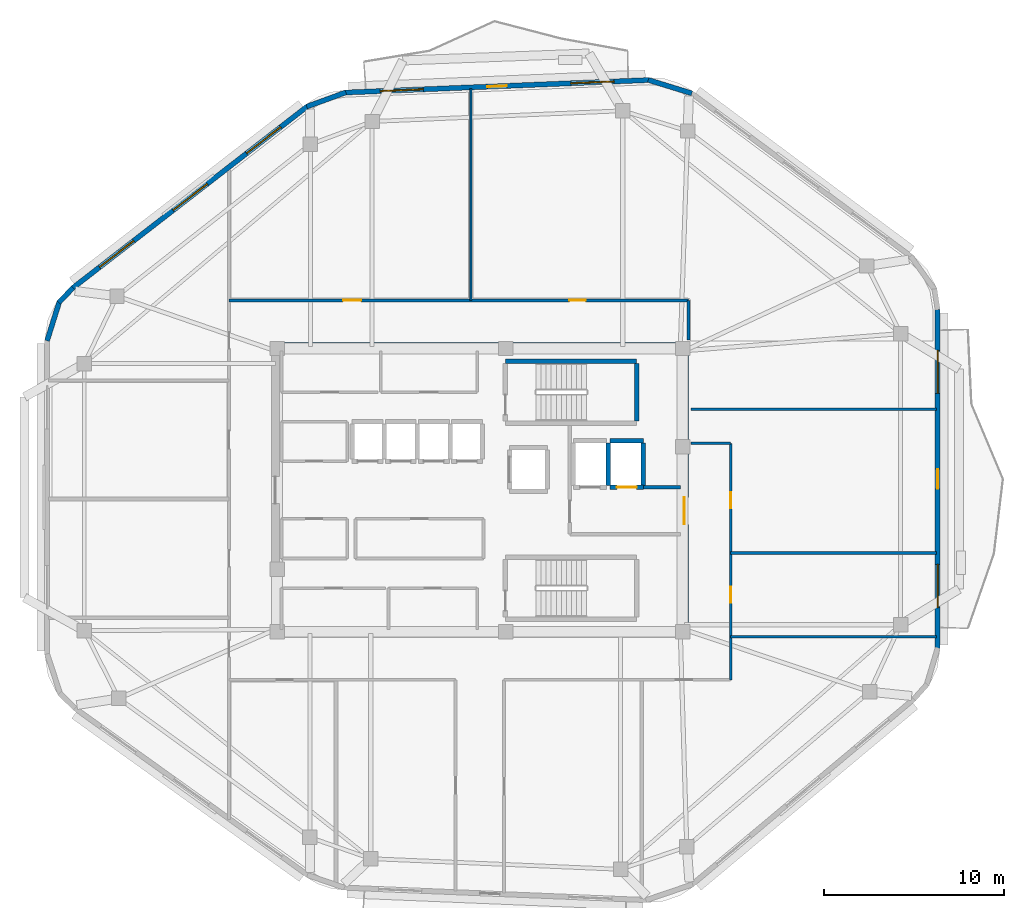
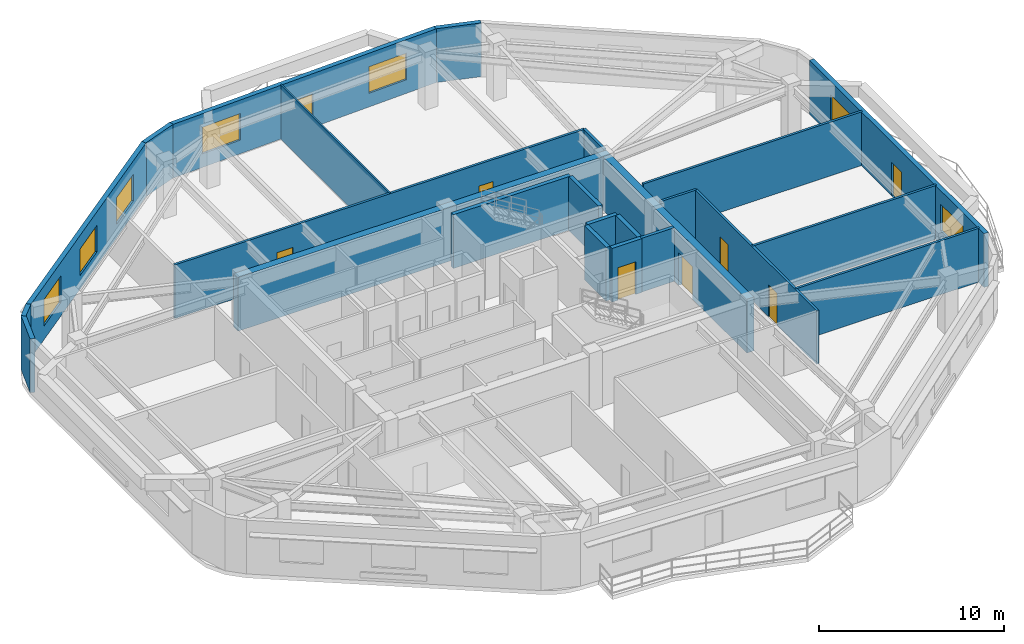
# One storey, part 5 of 8: 24 walls, 8 doors, 7 windows, 15 openings.
"""IFC4 building model written with IfcOpenShell, lengths in metres."""

from ifc_helpers import new_model, si_unit, direction, frame, frame_2d, origin, place, context, subcontext, project, spatial, rectangle, extrude, material, layer, layer_set, type_object, element, fill, save


model = new_model("IFC4")

# Units and contexts
model_context = context("Model", 3, precision=1e-05, world=origin(), true_north=direction((0.0, 1.0)))
body_context = subcontext(model_context, "Body", "Model", "MODEL_VIEW")
ifc_project = project(units=[si_unit("LENGTHUNIT", "METRE"), si_unit("AREAUNIT", "SQUARE_METRE"), si_unit("VOLUMEUNIT", "CUBIC_METRE"), si_unit("PLANEANGLEUNIT", "RADIAN"), si_unit("MASSUNIT", "GRAM", prefix="KILO")], contexts=[model_context])

# Site, building, storey
site_placement = place(None, origin())
site = spatial("IfcSite", under=ifc_project, at=site_placement, CompositionType="ELEMENT")
building_placement = place(site_placement, origin())
building = spatial("IfcBuilding", under=site, at=building_placement, Name="Zulverin Broadcast Headquarters", CompositionType="ELEMENT")
storey_placement = place(building_placement, frame((0.0, 0.0, 274.39990234375)))
storey = spatial("IfcBuildingStorey", under=building, at=storey_placement, Name="L70", CompositionType="ELEMENT", Elevation=274.39990234375)

# Wall
ifc_material_1 = material(Name="Concrete C50/60", Category="concrete")
ifc_layer_1 = layer(ifc_material_1, 0.449951171875, Name="Concrete C50/60", Category="concrete")
ifc_layer_set_1 = layer_set([ifc_layer_1], Name="Concrete C50/60")
wall_type_1 = type_object("IfcWallType", Name="WL-CORE-450", PredefinedType="SHEAR", material=ifc_layer_set_1)
wall_1_placement = place(storey_placement, frame((25.39990234375, 33.175048828125, 0.0), z_axis=(0.0, 0.0, 1.0), x_axis=(1.0, 0.0, 0.0)))
element("IfcWall", 1, at=wall_1_placement, inside=storey, type_object=wall_type_1, Name="L70 Core North Shear Wall", PredefinedType="SHEAR", context=body_context, shape_type="SweptSolid", body=[
    extrude(rectangle(XDim=23.2001953125, YDim=0.449951171875, at=frame_2d((11.60009765625, 0.0))), origin(), (0.0, 0.0, 1.0), 3.5400390625),
])

# Wall, opening, door
wall_2_placement = place(storey_placement, frame((48.375, 17.449951171875, 0.0), z_axis=(0.0, 0.0, 1.0), x_axis=(0.0, 1.0, 0.0)))
wall_2 = element("IfcWall", 2, at=wall_2_placement, inside=storey, type_object=wall_type_1, Name="L70 Core East Shear Wall", PredefinedType="SHEAR", context=body_context, shape_type="SweptSolid", body=[
    extrude(rectangle(XDim=15.5, YDim=0.449951171875, at=frame_2d((7.75, 0.0))), origin(), (0.0, 0.0, 1.0), 3.5400390625),
])
opening_1_placement = place(wall_2_placement, frame((5.85009765625, 0.0, 0.0)))
opening_1 = element("IfcOpeningElement", 3, at=opening_1_placement, cuts=wall_2, Name="Opening D-L70-CE1", PredefinedType="OPENING", context=body_context, shape_type="SweptSolid", body=[
    extrude(rectangle(XDim=1.5, YDim=2.14990234375, at=frame_2d((0.75, 1.074951171875))), frame((0.0, 0.23486328125, 0.0), z_axis=(0.0, -1.0, 0.0), x_axis=(1.0, 0.0, 0.0)), (0.0, 0.0, 1.0), 0.469970703125),
])
ifc_material_2 = material(Name="Fire-rated glazed steel frame", Category="steel")
door_type_1 = type_object("IfcDoorType", Name="DR-COR-1500", OperationType="DOUBLE_DOOR_SINGLE_SWING", PredefinedType="DOOR", material=ifc_material_2)
door_1_placement = place(opening_1_placement, origin())
door_1 = element("IfcDoor", 4, at=door_1_placement, inside=storey, type_object=door_type_1, Name="L70 Firefighting Lobby East Corridor Door", OperationType="DOUBLE_DOOR_SINGLE_SWING", OverallHeight=2.14990234375, OverallWidth=1.5, PredefinedType="DOOR", context=body_context, shape_type="SweptSolid", body=[
    extrude(rectangle(XDim=1.5, YDim=2.14990234375, at=frame_2d((0.75, 1.074951171875))), frame((0.0, 0.02490234375, 0.0), z_axis=(0.0, -1.0, 0.0), x_axis=(1.0, 0.0, 0.0)), (0.0, 0.0, 1.0), 0.050048828125),
])
fill(opening_1, door_1)

# Wall, openings, door, windows
ifc_material_3 = material(Name="Insulated pale-metal clad concrete spandrel C40/50", Category="concrete")
ifc_layer_2 = layer(ifc_material_3, 0.280029296875, Name="Insulated pale-metal clad concrete spandrel C40/50", Category="concrete")
ifc_layer_set_2 = layer_set([ifc_layer_2], Name="Insulated pale-metal clad concrete spandrel C40/50")
wall_type_2 = type_object("IfcWallType", Name="WL-EXT-280", PredefinedType="STANDARD", material=ifc_layer_set_2)
wall_3_placement = place(storey_placement, frame((62.4599609375, 16.3955078125, 0.0), z_axis=(0.0, 0.0, 1.0), x_axis=(0.0, 1.0, 0.0)))
wall_3 = element("IfcWall", 5, at=wall_3_placement, inside=storey, type_object=wall_type_2, Name="L70 Pale-Metal Clad Spandrel Wall 3", PredefinedType="STANDARD", context=body_context, shape_type="SweptSolid", body=[
    extrude(rectangle(XDim=18.8544921875, YDim=0.280029296875, at=frame_2d((9.42724609375, 0.0))), origin(), (0.0, 0.0, 1.0), 3.5400390625),
])
opening_2_placement = place(wall_3_placement, frame((8.877197265625, 0.0, 0.0)))
opening_2 = element("IfcOpeningElement", 6, at=opening_2_placement, cuts=wall_3, Name="Opening D-L70-TR3", PredefinedType="OPENING", context=body_context, shape_type="SweptSolid", body=[
    extrude(rectangle(XDim=1.10009765625, YDim=2.199951171875, at=frame_2d((0.550048828125, 1.10009765625))), frame((0.0, 0.14990234375, 0.0), z_axis=(0.0, -1.0, 0.0), x_axis=(1.0, 0.0, 0.0)), (0.0, 0.0, 1.0), 0.300048828125),
])
opening_3_placement = place(wall_3_placement, frame((2.27587890625, 0.0, 0.89990234375)))
opening_3 = element("IfcOpeningElement", 7, at=opening_3_placement, cuts=wall_3, Name="Opening W-L70-E31", PredefinedType="OPENING", context=body_context, shape_type="SweptSolid", body=[
    extrude(rectangle(XDim=2.39990234375, YDim=1.75, at=frame_2d((1.199951171875, 0.875))), frame((0.0, 0.14990234375, 0.0), z_axis=(0.0, -1.0, 0.0), x_axis=(1.0, 0.0, 0.0)), (0.0, 0.0, 1.0), 0.300048828125),
])
opening_4_placement = place(wall_3_placement, frame((14.1787109375, 0.0, 0.89990234375)))
opening_4 = element("IfcOpeningElement", 8, at=opening_4_placement, cuts=wall_3, Name="Opening W-L70-E32", PredefinedType="OPENING", context=body_context, shape_type="SweptSolid", body=[
    extrude(rectangle(XDim=2.39990234375, YDim=1.75, at=frame_2d((1.199951171875, 0.875))), frame((0.0, 0.14990234375, 0.0), z_axis=(0.0, -1.0, 0.0), x_axis=(1.0, 0.0, 0.0)), (0.0, 0.0, 1.0), 0.300048828125),
])
ifc_material_4 = material(Name="Thermally broken aluminium glazed", Category="aluminium")
door_type_2 = type_object("IfcDoorType", Name="DR-TERR-1100", OperationType="SINGLE_SWING_RIGHT", PredefinedType="DOOR", material=ifc_material_4)
door_2_placement = place(opening_2_placement, origin())
door_2 = element("IfcDoor", 9, at=door_2_placement, inside=storey, type_object=door_type_2, Name="L70 Planted Terrace Glazed Access Door 3", OperationType="SINGLE_SWING_RIGHT", OverallHeight=2.199951171875, OverallWidth=1.10009765625, PredefinedType="DOOR", context=body_context, shape_type="SweptSolid", body=[
    extrude(rectangle(XDim=1.10009765625, YDim=2.199951171875, at=frame_2d((0.550048828125, 1.10009765625))), frame((0.0, 0.02490234375, 0.0), z_axis=(0.0, -1.0, 0.0), x_axis=(1.0, 0.0, 0.0)), (0.0, 0.0, 1.0), 0.050048828125),
])
fill(opening_2, door_2)
ifc_material_5 = material(Name="Pale anodized aluminium frame with solar-control low-E double glazing", Category="aluminium")
window_type = type_object("IfcWindowType", Name="WIN-RIB-2400", PartitioningType="SINGLE_PANEL", PredefinedType="WINDOW", material=ifc_material_5)
window_1_placement = place(opening_3_placement, origin())
window_1 = element("IfcWindow", 10, at=window_1_placement, inside=storey, type_object=window_type, Name="L70 Ribbon Glazing Window 3 1", OverallHeight=1.75, OverallWidth=2.39990234375, PartitioningType="SINGLE_PANEL", PredefinedType="WINDOW", context=body_context, shape_type="SweptSolid", body=[
    extrude(rectangle(XDim=2.39990234375, YDim=1.75, at=frame_2d((1.199951171875, 0.875))), frame((0.0, 0.030029296875, 0.0), z_axis=(0.0, -1.0, 0.0), x_axis=(1.0, 0.0, 0.0)), (0.0, 0.0, 1.0), 0.06005859375),
])
fill(opening_3, window_1)
window_2_placement = place(opening_4_placement, origin())
window_2 = element("IfcWindow", 11, at=window_2_placement, inside=storey, type_object=window_type, Name="L70 Ribbon Glazing Window 3 2", OverallHeight=1.75, OverallWidth=2.39990234375, PartitioningType="SINGLE_PANEL", PredefinedType="WINDOW", context=body_context, shape_type="SweptSolid", body=[
    extrude(rectangle(XDim=2.39990234375, YDim=1.75, at=frame_2d((1.199951171875, 0.875))), frame((0.0, 0.030029296875, 0.0), z_axis=(0.0, -1.0, 0.0), x_axis=(1.0, 0.0, 0.0)), (0.0, 0.0, 1.0), 0.06005859375),
])
fill(opening_4, window_2)

wall_4_placement = place(storey_placement, frame((46.413818359375, 48.0048828125, 0.0), z_axis=(0.0, 0.0, 1.0), x_axis=(-0.999156194126, -0.041071885021, 0.0)))
wall_4 = element("IfcWall", 12, at=wall_4_placement, inside=storey, type_object=wall_type_2, Name="L70 Pale-Metal Clad Spandrel Wall 5", PredefinedType="STANDARD", context=body_context, shape_type="SweptSolid", body=[
    extrude(rectangle(XDim=16.923095703125, YDim=0.280029296875, at=frame_2d((8.46142578125, 0.0))), origin(), (0.0, 0.0, 1.0), 3.5400390625),
])
opening_5_placement = place(wall_4_placement, frame((7.91162109375, 0.0, 0.0)))
opening_5 = element("IfcOpeningElement", 13, at=opening_5_placement, cuts=wall_4, Name="Opening D-L70-TR5", PredefinedType="OPENING", context=body_context, shape_type="SweptSolid", body=[
    extrude(rectangle(XDim=1.10009765625, YDim=2.199951171875, at=frame_2d((0.550048828125, 1.10009765625))), frame((0.0, 0.14990234375, 0.0), z_axis=(0.0, -1.0, 0.0), x_axis=(1.0, 0.0, 0.0)), (0.0, 0.0, 1.0), 0.300048828125),
])
opening_6_placement = place(wall_4_placement, frame((1.953857421875, 0.0, 0.89990234375)))
opening_6 = element("IfcOpeningElement", 14, at=opening_6_placement, cuts=wall_4, Name="Opening W-L70-E51", PredefinedType="OPENING", context=body_context, shape_type="SweptSolid", body=[
    extrude(rectangle(XDim=2.39990234375, YDim=1.75, at=frame_2d((1.199951171875, 0.875))), frame((0.0, 0.14990234375, 0.0), z_axis=(0.0, -1.0, 0.0), x_axis=(1.0, 0.0, 0.0)), (0.0, 0.0, 1.0), 0.300048828125),
])
opening_7_placement = place(wall_4_placement, frame((12.569091796875, 0.0, 0.89990234375)))
opening_7 = element("IfcOpeningElement", 15, at=opening_7_placement, cuts=wall_4, Name="Opening W-L70-E52", PredefinedType="OPENING", context=body_context, shape_type="SweptSolid", body=[
    extrude(rectangle(XDim=2.39990234375, YDim=1.75, at=frame_2d((1.199951171875, 0.875))), frame((0.0, 0.14990234375, 0.0), z_axis=(0.0, -1.0, 0.0), x_axis=(1.0, 0.0, 0.0)), (0.0, 0.0, 1.0), 0.300048828125),
])
door_3_placement = place(opening_5_placement, origin())
door_3 = element("IfcDoor", 16, at=door_3_placement, inside=storey, type_object=door_type_2, Name="L70 Planted Terrace Glazed Access Door 5", OperationType="SINGLE_SWING_RIGHT", OverallHeight=2.199951171875, OverallWidth=1.10009765625, PredefinedType="DOOR", context=body_context, shape_type="SweptSolid", body=[
    extrude(rectangle(XDim=1.10009765625, YDim=2.199951171875, at=frame_2d((0.550048828125, 1.10009765625))), frame((0.0, 0.02490234375, 0.0), z_axis=(0.0, -1.0, 0.0), x_axis=(1.0, 0.0, 0.0)), (0.0, 0.0, 1.0), 0.050048828125),
])
fill(opening_5, door_3)
window_3_placement = place(opening_6_placement, origin())
window_3 = element("IfcWindow", 17, at=window_3_placement, inside=storey, type_object=window_type, Name="L70 Ribbon Glazing Window 5 1", OverallHeight=1.75, OverallWidth=2.39990234375, PartitioningType="SINGLE_PANEL", PredefinedType="WINDOW", context=body_context, shape_type="SweptSolid", body=[
    extrude(rectangle(XDim=2.39990234375, YDim=1.75, at=frame_2d((1.199951171875, 0.875))), frame((0.0, 0.030029296875, 0.0), z_axis=(0.0, -1.0, 0.0), x_axis=(1.0, 0.0, 0.0)), (0.0, 0.0, 1.0), 0.06005859375),
])
fill(opening_6, window_3)
window_4_placement = place(opening_7_placement, origin())
window_4 = element("IfcWindow", 18, at=window_4_placement, inside=storey, type_object=window_type, Name="L70 Ribbon Glazing Window 5 2", OverallHeight=1.75, OverallWidth=2.39990234375, PartitioningType="SINGLE_PANEL", PredefinedType="WINDOW", context=body_context, shape_type="SweptSolid", body=[
    extrude(rectangle(XDim=2.39990234375, YDim=1.75, at=frame_2d((1.199951171875, 0.875))), frame((0.0, 0.030029296875, 0.0), z_axis=(0.0, -1.0, 0.0), x_axis=(1.0, 0.0, 0.0)), (0.0, 0.0, 1.0), 0.06005859375),
])
fill(opening_7, window_4)

# Wall, openings, windows
wall_5_placement = place(storey_placement, frame((27.4150390625, 46.54736328125, 0.0), z_axis=(0.0, 0.0, 1.0), x_axis=(-0.790789745248, -0.612087884875, 0.0)))
wall_5 = element("IfcWall", 19, at=wall_5_placement, inside=storey, type_object=wall_type_2, Name="L70 Pale-Metal Clad Spandrel Wall 6", PredefinedType="STANDARD", context=body_context, shape_type="SweptSolid", body=[
    extrude(rectangle(XDim=16.509033203125, YDim=0.280029296875, at=frame_2d((8.25439453125, 0.0))), origin(), (0.0, 0.0, 1.0), 3.5400390625),
])
opening_8_placement = place(wall_5_placement, frame((1.885009765625, 0.0, 0.89990234375)))
opening_8 = element("IfcOpeningElement", 20, at=opening_8_placement, cuts=wall_5, Name="Opening W-L70-E61", PredefinedType="OPENING", context=body_context, shape_type="SweptSolid", body=[
    extrude(rectangle(XDim=2.39990234375, YDim=1.75, at=frame_2d((1.199951171875, 0.875))), frame((0.0, 0.14990234375, 0.0), z_axis=(0.0, -1.0, 0.0), x_axis=(1.0, 0.0, 0.0)), (0.0, 0.0, 1.0), 0.300048828125),
])
opening_9_placement = place(wall_5_placement, frame((7.0546875, 0.0, 0.89990234375)))
opening_9 = element("IfcOpeningElement", 21, at=opening_9_placement, cuts=wall_5, Name="Opening W-L70-E62", PredefinedType="OPENING", context=body_context, shape_type="SweptSolid", body=[
    extrude(rectangle(XDim=2.39990234375, YDim=1.75, at=frame_2d((1.199951171875, 0.875))), frame((0.0, 0.14990234375, 0.0), z_axis=(0.0, -1.0, 0.0), x_axis=(1.0, 0.0, 0.0)), (0.0, 0.0, 1.0), 0.300048828125),
])
opening_10_placement = place(wall_5_placement, frame((12.224365234375, 0.0, 0.89990234375)))
opening_10 = element("IfcOpeningElement", 22, at=opening_10_placement, cuts=wall_5, Name="Opening W-L70-E63", PredefinedType="OPENING", context=body_context, shape_type="SweptSolid", body=[
    extrude(rectangle(XDim=2.39990234375, YDim=1.75, at=frame_2d((1.199951171875, 0.875))), frame((0.0, 0.14990234375, 0.0), z_axis=(0.0, -1.0, 0.0), x_axis=(1.0, 0.0, 0.0)), (0.0, 0.0, 1.0), 0.300048828125),
])
window_5_placement = place(opening_8_placement, origin())
window_5 = element("IfcWindow", 23, at=window_5_placement, inside=storey, type_object=window_type, Name="L70 Ribbon Glazing Window 6 1", OverallHeight=1.75, OverallWidth=2.39990234375, PartitioningType="SINGLE_PANEL", PredefinedType="WINDOW", context=body_context, shape_type="SweptSolid", body=[
    extrude(rectangle(XDim=2.39990234375, YDim=1.75, at=frame_2d((1.199951171875, 0.875))), frame((0.0, 0.030029296875, 0.0), z_axis=(0.0, -1.0, 0.0), x_axis=(1.0, 0.0, 0.0)), (0.0, 0.0, 1.0), 0.06005859375),
])
fill(opening_8, window_5)
window_6_placement = place(opening_9_placement, origin())
window_6 = element("IfcWindow", 24, at=window_6_placement, inside=storey, type_object=window_type, Name="L70 Ribbon Glazing Window 6 2", OverallHeight=1.75, OverallWidth=2.39990234375, PartitioningType="SINGLE_PANEL", PredefinedType="WINDOW", context=body_context, shape_type="SweptSolid", body=[
    extrude(rectangle(XDim=2.39990234375, YDim=1.75, at=frame_2d((1.199951171875, 0.875))), frame((0.0, 0.030029296875, 0.0), z_axis=(0.0, -1.0, 0.0), x_axis=(1.0, 0.0, 0.0)), (0.0, 0.0, 1.0), 0.06005859375),
])
fill(opening_9, window_6)
window_7_placement = place(opening_10_placement, origin())
window_7 = element("IfcWindow", 25, at=window_7_placement, inside=storey, type_object=window_type, Name="L70 Ribbon Glazing Window 6 3", OverallHeight=1.75, OverallWidth=2.39990234375, PartitioningType="SINGLE_PANEL", PredefinedType="WINDOW", context=body_context, shape_type="SweptSolid", body=[
    extrude(rectangle(XDim=2.39990234375, YDim=1.75, at=frame_2d((1.199951171875, 0.875))), frame((0.0, 0.030029296875, 0.0), z_axis=(0.0, -1.0, 0.0), x_axis=(1.0, 0.0, 0.0)), (0.0, 0.0, 1.0), 0.06005859375),
])
fill(opening_10, window_7)

# Walls
wall_6_placement = place(storey_placement, frame((48.7900390625, 47.263671875, 0.0), z_axis=(0.0, 0.0, 1.0), x_axis=(-0.955593560977, 0.294687879322, 0.0)))
element("IfcWall", 26, at=wall_6_placement, inside=storey, type_object=wall_type_2, Name="L70 Wind-Shaped Corner Spandrel Wall 4-1", PredefinedType="STANDARD", context=body_context, shape_type="SweptSolid", body=[
    extrude(rectangle(XDim=2.535888671875, YDim=0.280029296875, at=frame_2d((1.26806640625, 0.0))), origin(), (0.0, 0.0, 1.0), 3.5400390625),
])
wall_7_placement = place(storey_placement, frame((29.547119140625, 47.318359375, 0.0), z_axis=(0.0, 0.0, 1.0), x_axis=(-0.93940703724, -0.342803760748, 0.0)))
element("IfcWall", 27, at=wall_7_placement, inside=storey, type_object=wall_type_2, Name="L70 Wind-Shaped Corner Spandrel Wall 5-1", PredefinedType="STANDARD", context=body_context, shape_type="SweptSolid", body=[
    extrude(rectangle(XDim=2.3095703125, YDim=0.280029296875, at=frame_2d((1.15478515625, 0.0))), origin(), (0.0, 0.0, 1.0), 3.5400390625),
])
wall_8_placement = place(storey_placement, frame((14.37548828125, 36.45654296875, 0.0), z_axis=(0.0, 0.0, 1.0), x_axis=(-0.68895569752, -0.724803453948, 0.0)))
element("IfcWall", 28, at=wall_8_placement, inside=storey, type_object=wall_type_2, Name="L70 Wind-Shaped Corner Spandrel Wall 6-1", PredefinedType="STANDARD", context=body_context, shape_type="SweptSolid", body=[
    extrude(rectangle(XDim=1.15087890625, YDim=0.280029296875, at=frame_2d((0.575439453125, 0.0))), origin(), (0.0, 0.0, 1.0), 3.5400390625),
])
wall_9_placement = place(storey_placement, frame((13.61474609375, 35.677001953125, 0.0), z_axis=(0.0, 0.0, 1.0), x_axis=(-0.299374552426, -0.954135670311, 0.0)))
element("IfcWall", 29, at=wall_9_placement, inside=storey, type_object=wall_type_2, Name="L70 Wind-Shaped Corner Spandrel Wall 6-2", PredefinedType="STANDARD", context=body_context, shape_type="SweptSolid", body=[
    extrude(rectangle(XDim=2.275146484375, YDim=0.280029296875, at=frame_2d((1.1376953125, 0.0))), origin(), (0.0, 0.0, 1.0), 3.5400390625),
])
ifc_material_6 = material(Name="Concrete C40/50", Category="concrete")
ifc_layer_3 = layer(ifc_material_6, 0.199951171875, Name="Concrete C40/50", Category="concrete")
ifc_layer_set_3 = layer_set([ifc_layer_3], Name="Concrete C40/50")
wall_type_3 = type_object("IfcWallType", Name="WL-FFL-200", PredefinedType="SOLIDWALL", material=ifc_layer_set_3)
wall_10_placement = place(storey_placement, frame((46.10009765625, 25.35009765625, 0.0), z_axis=(0.0, 0.0, 1.0), x_axis=(1.0, 0.0, 0.0)))
element("IfcWall", 30, at=wall_10_placement, inside=storey, type_object=wall_type_3, Name="L70 Firefighting Lift Lobby North Wall", PredefinedType="SOLIDWALL", context=body_context, shape_type="SweptSolid", body=[
    extrude(rectangle(XDim=2.0498046875, YDim=0.199951171875, at=frame_2d((1.02490234375, 0.0))), origin(), (0.0, 0.0, 1.0), 3.5400390625),
])
ifc_material_7 = material(Name="Fire-rated acoustic laminated glass screen", Category="glass")
ifc_layer_4 = layer(ifc_material_7, 0.10009765625, Name="Fire-rated acoustic laminated glass screen", Category="glass")
ifc_layer_set_4 = layer_set([ifc_layer_4], Name="Fire-rated acoustic laminated glass screen")
wall_type_4 = type_object("IfcWallType", Name="WL-GLAZ-100", PredefinedType="PARTITIONING", material=ifc_layer_set_4)
wall_11_placement = place(storey_placement, frame((36.5, 35.75, 0.0), z_axis=(0.0, 0.0, 1.0), x_axis=(0.0, 1.0, 0.0)))
element("IfcWall", 31, at=wall_11_placement, inside=storey, type_object=wall_type_4, Name="L70 Room Partition Wall RP-05", PredefinedType="PARTITIONING", context=body_context, shape_type="SweptSolid", body=[
    extrude(rectangle(XDim=11.78271484375, YDim=0.10009765625, at=frame_2d((5.891357421875, 0.0))), origin(), (0.0, 0.0, 1.0), 3.5400390625),
])

# Wall, openings, doors
ifc_material_8 = material(Name="Fire-rated gypsum stud partition", Category="gypsum")
ifc_layer_5 = layer(ifc_material_8, 0.14990234375, Name="Fire-rated gypsum stud partition", Category="gypsum")
ifc_layer_set_5 = layer_set([ifc_layer_5], Name="Fire-rated gypsum stud partition")
wall_type_5 = type_object("IfcWallType", Name="WL-PART-150", PredefinedType="PARTITIONING", material=ifc_layer_set_5)
wall_12_placement = place(storey_placement, frame((50.949951171875, 14.64990234375, 0.0), z_axis=(0.0, 0.0, 1.0), x_axis=(0.0, 1.0, 0.0)))
wall_12 = element("IfcWall", 32, at=wall_12_placement, inside=storey, type_object=wall_type_5, Name="L70 Gallery Partition Wall CG-01", PredefinedType="PARTITIONING", context=body_context, shape_type="SweptSolid", body=[
    extrude(rectangle(XDim=13.150146484375, YDim=0.14990234375, at=frame_2d((6.5751953125, 0.0))), origin(), (0.0, 0.0, 1.0), 3.5400390625),
])
opening_11_placement = place(wall_12_placement, frame((4.27490234375, 0.0, 0.0)))
opening_11 = element("IfcOpeningElement", 33, at=opening_11_placement, cuts=wall_12, Name="Opening D-L70-11", PredefinedType="OPENING", context=body_context, shape_type="SweptSolid", body=[
    extrude(rectangle(XDim=0.89990234375, YDim=2.10009765625, at=frame_2d((0.449951171875, 1.050048828125))), frame((0.0, 0.0849609375, 0.0), z_axis=(0.0, -1.0, 0.0), x_axis=(1.0, 0.0, 0.0)), (0.0, 0.0, 1.0), 0.169921875),
])
opening_12_placement = place(wall_12_placement, frame((9.530029296875, 0.0, 0.0)))
opening_12 = element("IfcOpeningElement", 34, at=opening_12_placement, cuts=wall_12, Name="Opening D-L70-12", PredefinedType="OPENING", context=body_context, shape_type="SweptSolid", body=[
    extrude(rectangle(XDim=0.89990234375, YDim=2.10009765625, at=frame_2d((0.449951171875, 1.050048828125))), frame((0.0, 0.0849609375, 0.0), z_axis=(0.0, -1.0, 0.0), x_axis=(1.0, 0.0, 0.0)), (0.0, 0.0, 1.0), 0.169921875),
])
ifc_material_9 = material(Name="Fire-rated hardwood veneer timber leaf", Category="wood")
door_type_3 = type_object("IfcDoorType", Name="DR-ROOM-900", OperationType="SINGLE_SWING_RIGHT", PredefinedType="DOOR", material=ifc_material_9)
door_4_placement = place(opening_11_placement, origin())
door_4 = element("IfcDoor", 35, at=door_4_placement, inside=storey, type_object=door_type_3, Name="L70 Broadcast Heritage Museum Door", OperationType="SINGLE_SWING_RIGHT", OverallHeight=2.10009765625, OverallWidth=0.89990234375, PredefinedType="DOOR", context=body_context, shape_type="SweptSolid", body=[
    extrude(rectangle(XDim=0.89990234375, YDim=2.10009765625, at=frame_2d((0.449951171875, 1.050048828125))), frame((0.0, 0.02490234375, 0.0), z_axis=(0.0, -1.0, 0.0), x_axis=(1.0, 0.0, 0.0)), (0.0, 0.0, 1.0), 0.050048828125),
])
fill(opening_11, door_4)
door_5_placement = place(opening_12_placement, origin())
door_5 = element("IfcDoor", 36, at=door_5_placement, inside=storey, type_object=door_type_3, Name="L70 Executive Screening Suite Door", OperationType="SINGLE_SWING_LEFT", OverallHeight=2.10009765625, OverallWidth=0.89990234375, PredefinedType="DOOR", context=body_context, shape_type="SweptSolid", body=[
    extrude(rectangle(XDim=0.89990234375, YDim=2.10009765625, at=frame_2d((0.449951171875, 1.050048828125))), frame((0.0, 0.02490234375, 0.0), z_axis=(0.0, -1.0, 0.0), x_axis=(1.0, 0.0, 0.0)), (0.0, 0.0, 1.0), 0.050048828125),
])
fill(opening_12, door_5)

# Walls
wall_13_placement = place(storey_placement, frame((48.60009765625, 33.5400390625, 0.0), z_axis=(0.0, 0.0, 1.0), x_axis=(0.0, 1.0, 0.0)))
element("IfcWall", 37, at=wall_13_placement, inside=storey, type_object=wall_type_5, Name="L70 Gallery Partition Wall CG-02", PredefinedType="PARTITIONING", context=body_context, shape_type="SweptSolid", body=[
    extrude(rectangle(XDim=2.2099609375, YDim=0.14990234375, at=frame_2d((1.10498046875, 0.0))), origin(), (0.0, 0.0, 1.0), 3.5400390625),
])
for number, where, z_axis, x_axis, name in (
    (38, (50.949951171875, 17.050048828125, 0.0), (0.0, 0.0, 1.0), (1.0, 0.0, 0.0), "L70 Room Partition Wall RP-11"),
    (39, (50.949951171875, 21.699951171875, 0.0), (0.0, 0.0, 1.0), (1.0, 0.0, 0.0), "L70 Room Partition Wall RP-13"),
):
    element("IfcWall", number, at=place(storey_placement, frame(where, z_axis=z_axis, x_axis=x_axis)), inside=storey, type_object=wall_type_5, Name=name, PredefinedType="PARTITIONING", context=body_context, shape_type="SweptSolid", body=[
        extrude(rectangle(XDim=11.445068359375, YDim=0.14990234375, at=frame_2d((5.72265625, 0.0))), origin(), (0.0, 0.0, 1.0), 3.5400390625),
    ])
wall_14_placement = place(storey_placement, frame((48.739990234375, 27.800048828125, 0.0), z_axis=(0.0, 0.0, 1.0), x_axis=(1.0, 0.0, 0.0)))
element("IfcWall", 40, at=wall_14_placement, inside=storey, type_object=wall_type_5, Name="L70 Gallery Partition Wall CG-15", PredefinedType="PARTITIONING", context=body_context, shape_type="SweptSolid", body=[
    extrude(rectangle(XDim=2.2099609375, YDim=0.14990234375, at=frame_2d((1.10498046875, 0.0))), origin(), (0.0, 0.0, 1.0), 3.5400390625),
])
wall_15_placement = place(storey_placement, frame((48.739990234375, 29.699951171875, 0.0), z_axis=(0.0, 0.0, 1.0), x_axis=(1.0, 0.0, 0.0)))
element("IfcWall", 41, at=wall_15_placement, inside=storey, type_object=wall_type_5, Name="L70 Room Partition Wall RP-16", PredefinedType="PARTITIONING", context=body_context, shape_type="SweptSolid", body=[
    extrude(rectangle(XDim=13.655029296875, YDim=0.14990234375, at=frame_2d((6.82763671875, 0.0))), origin(), (0.0, 0.0, 1.0), 3.5400390625),
])

# Wall, openings, doors
wall_16_placement = place(storey_placement, frame((23.050048828125, 35.75, 0.0), z_axis=(0.0, 0.0, 1.0), x_axis=(1.0, 0.0, 0.0)))
wall_16 = element("IfcWall", 42, at=wall_16_placement, inside=storey, type_object=wall_type_5, Name="L70 Gallery Partition Wall CG-18", PredefinedType="PARTITIONING", context=body_context, shape_type="SweptSolid", body=[
    extrude(rectangle(XDim=25.550048828125, YDim=0.14990234375, at=frame_2d((12.77490234375, 0.0))), origin(), (0.0, 0.0, 1.0), 3.5400390625),
])
opening_13_placement = place(wall_16_placement, frame((6.344970703125, 0.0, 0.0)))
opening_13 = element("IfcOpeningElement", 43, at=opening_13_placement, cuts=wall_16, Name="Opening D-L70-01", PredefinedType="OPENING", context=body_context, shape_type="SweptSolid", body=[
    extrude(rectangle(XDim=1.0, YDim=2.1201171875, at=frame_2d((0.5, 1.06005859375))), frame((0.0, 0.0849609375, 0.0), z_axis=(0.0, -1.0, 0.0), x_axis=(1.0, 0.0, 0.0)), (0.0, 0.0, 1.0), 0.169921875),
])
opening_14_placement = place(wall_16_placement, frame((18.929931640625, 0.0, 0.0)))
opening_14 = element("IfcOpeningElement", 44, at=opening_14_placement, cuts=wall_16, Name="Opening D-L70-02", PredefinedType="OPENING", context=body_context, shape_type="SweptSolid", body=[
    extrude(rectangle(XDim=0.89990234375, YDim=2.10009765625, at=frame_2d((0.449951171875, 1.050048828125))), frame((0.0, 0.0849609375, 0.0), z_axis=(0.0, -1.0, 0.0), x_axis=(1.0, 0.0, 0.0)), (0.0, 0.0, 1.0), 0.169921875),
])
ifc_material_10 = material(Name="Hardwood veneer acoustic leaf", Category="wood")
door_type_4 = type_object("IfcDoorType", Name="DR-OFF-1000", OperationType="SINGLE_SWING_LEFT", PredefinedType="DOOR", material=ifc_material_10)
door_6_placement = place(opening_13_placement, origin())
door_6 = element("IfcDoor", 45, at=door_6_placement, inside=storey, type_object=door_type_4, Name="L70 Amenity Management Office Door", OperationType="SINGLE_SWING_RIGHT", OverallHeight=2.1201171875, OverallWidth=1.0, PredefinedType="DOOR", context=body_context, shape_type="SweptSolid", body=[
    extrude(rectangle(XDim=1.0, YDim=2.1201171875, at=frame_2d((0.5, 1.06005859375))), frame((0.0, 0.02490234375, 0.0), z_axis=(0.0, -1.0, 0.0), x_axis=(1.0, 0.0, 0.0)), (0.0, 0.0, 1.0), 0.050048828125),
])
fill(opening_13, door_6)
door_7_placement = place(opening_14_placement, origin())
door_7 = element("IfcDoor", 46, at=door_7_placement, inside=storey, type_object=door_type_3, Name="L70 Club Committee Meeting Room Door", OperationType="SINGLE_SWING_LEFT", OverallHeight=2.10009765625, OverallWidth=0.89990234375, PredefinedType="DOOR", context=body_context, shape_type="SweptSolid", body=[
    extrude(rectangle(XDim=0.89990234375, YDim=2.10009765625, at=frame_2d((0.449951171875, 1.050048828125))), frame((0.0, 0.02490234375, 0.0), z_axis=(0.0, -1.0, 0.0), x_axis=(1.0, 0.0, 0.0)), (0.0, 0.0, 1.0), 0.050048828125),
])
fill(opening_14, door_7)

# Walls
ifc_layer_6 = layer(ifc_material_1, 0.25, Name="Concrete C50/60", Category="concrete")
ifc_layer_set_6 = layer_set([ifc_layer_6], Name="Concrete C50/60")
wall_type_6 = type_object("IfcWallType", Name="WL-SHAFT-250", PredefinedType="SHEAR", material=ifc_layer_set_6)
wall_17_placement = place(storey_placement, frame((38.425048828125, 32.375, 0.0), z_axis=(0.0, 0.0, 1.0), x_axis=(1.0, 0.0, 0.0)))
element("IfcWall", 47, at=wall_17_placement, inside=storey, type_object=wall_type_6, Name="L70 ST-1 Enclosure Wall N", PredefinedType="SHEAR", context=body_context, shape_type="SweptSolid", body=[
    extrude(rectangle(XDim=7.300048828125, YDim=0.25, at=frame_2d((3.64990234375, 0.0))), origin(), (0.0, 0.0, 1.0), 3.5400390625),
])
wall_18_placement = place(storey_placement, frame((45.72509765625, 29.050048828125, 0.0), z_axis=(0.0, 0.0, 1.0), x_axis=(0.0, 1.0, 0.0)))
element("IfcWall", 48, at=wall_18_placement, inside=storey, type_object=wall_type_6, Name="L70 ST-1 Enclosure Wall E", PredefinedType="SHEAR", context=body_context, shape_type="SweptSolid", body=[
    extrude(rectangle(XDim=3.199951171875, YDim=0.25, at=frame_2d((1.60009765625, 0.0))), origin(), (0.0, 0.0, 1.0), 3.5400390625),
])
wall_19_placement = place(storey_placement, frame((44.14990234375, 25.469970703125, 0.0), z_axis=(0.0, 0.0, 1.0), x_axis=(0.0, 1.0, 0.0)))
element("IfcWall", 49, at=wall_19_placement, inside=storey, type_object=wall_type_6, Name="L70 Lift FFL-1 Shaft Wall E", PredefinedType="SHEAR", context=body_context, shape_type="SweptSolid", body=[
    extrude(rectangle(XDim=2.360107421875, YDim=0.25, at=frame_2d((1.18017578125, 0.0))), origin(), (0.0, 0.0, 1.0), 3.5400390625),
])

# Wall, opening, door
wall_20_placement = place(storey_placement, frame((44.25, 25.35009765625, 0.0), z_axis=(0.0, 0.0, 1.0), x_axis=(1.0, 0.0, 0.0)))
wall_20 = element("IfcWall", 50, at=wall_20_placement, inside=storey, type_object=wall_type_6, Name="L70 Lift FFL-2 Shaft Wall S", PredefinedType="SHEAR", context=body_context, shape_type="SweptSolid", body=[
    extrude(rectangle(XDim=1.85009765625, YDim=0.25, at=frame_2d((0.925048828125, 0.0))), origin(), (0.0, 0.0, 1.0), 3.5400390625),
])
opening_15_placement = place(wall_20_placement, frame((0.375, 0.0, 0.0)))
opening_15 = element("IfcOpeningElement", 51, at=opening_15_placement, cuts=wall_20, Name="Opening LD-FFL-2-L70", PredefinedType="OPENING", context=body_context, shape_type="SweptSolid", body=[
    extrude(rectangle(XDim=1.10009765625, YDim=2.14990234375, at=frame_2d((0.550048828125, 1.074951171875))), frame((0.0, 0.135009765625, 0.0), z_axis=(0.0, -1.0, 0.0), x_axis=(1.0, 0.0, 0.0)), (0.0, 0.0, 1.0), 0.27001953125),
])
ifc_material_11 = material(Name="Fire-rated stainless landing door", Category="steel")
door_type_5 = type_object("IfcDoorType", Name="LD-FFL-1100", OperationType="DOUBLE_DOOR_SLIDING", PredefinedType="DOOR", material=ifc_material_11)
door_8_placement = place(opening_15_placement, origin())
door_8 = element("IfcDoor", 52, at=door_8_placement, inside=storey, type_object=door_type_5, Name="L70 Lift FFL-2 Sliding Landing Door", OperationType="DOUBLE_DOOR_SLIDING", OverallHeight=2.14990234375, OverallWidth=1.10009765625, PredefinedType="DOOR", context=body_context, shape_type="SweptSolid", body=[
    extrude(rectangle(XDim=1.10009765625, YDim=2.14990234375, at=frame_2d((0.550048828125, 1.074951171875))), frame((0.0, 0.02490234375, 0.0), z_axis=(0.0, -1.0, 0.0), x_axis=(1.0, 0.0, 0.0)), (0.0, 0.0, 1.0), 0.050048828125),
])
fill(opening_15, door_8)

# Walls
wall_21_placement = place(storey_placement, frame((44.25, 27.949951171875, 0.0), z_axis=(0.0, 0.0, 1.0), x_axis=(1.0, 0.0, 0.0)))
element("IfcWall", 53, at=wall_21_placement, inside=storey, type_object=wall_type_6, Name="L70 Lift FFL-2 Shaft Wall N", PredefinedType="SHEAR", context=body_context, shape_type="SweptSolid", body=[
    extrude(rectangle(XDim=1.85009765625, YDim=0.25, at=frame_2d((0.925048828125, 0.0))), origin(), (0.0, 0.0, 1.0), 3.5400390625),
])
wall_22_placement = place(storey_placement, frame((46.10009765625, 25.469970703125, 0.0), z_axis=(0.0, 0.0, 1.0), x_axis=(0.0, 1.0, 0.0)))
element("IfcWall", 54, at=wall_22_placement, inside=storey, type_object=wall_type_6, Name="L70 Lift FFL-2 Shaft Wall E", PredefinedType="SHEAR", context=body_context, shape_type="SweptSolid", body=[
    extrude(rectangle(XDim=2.360107421875, YDim=0.25, at=frame_2d((1.18017578125, 0.0))), origin(), (0.0, 0.0, 1.0), 3.5400390625),
])

save(model, "model.ifc")
